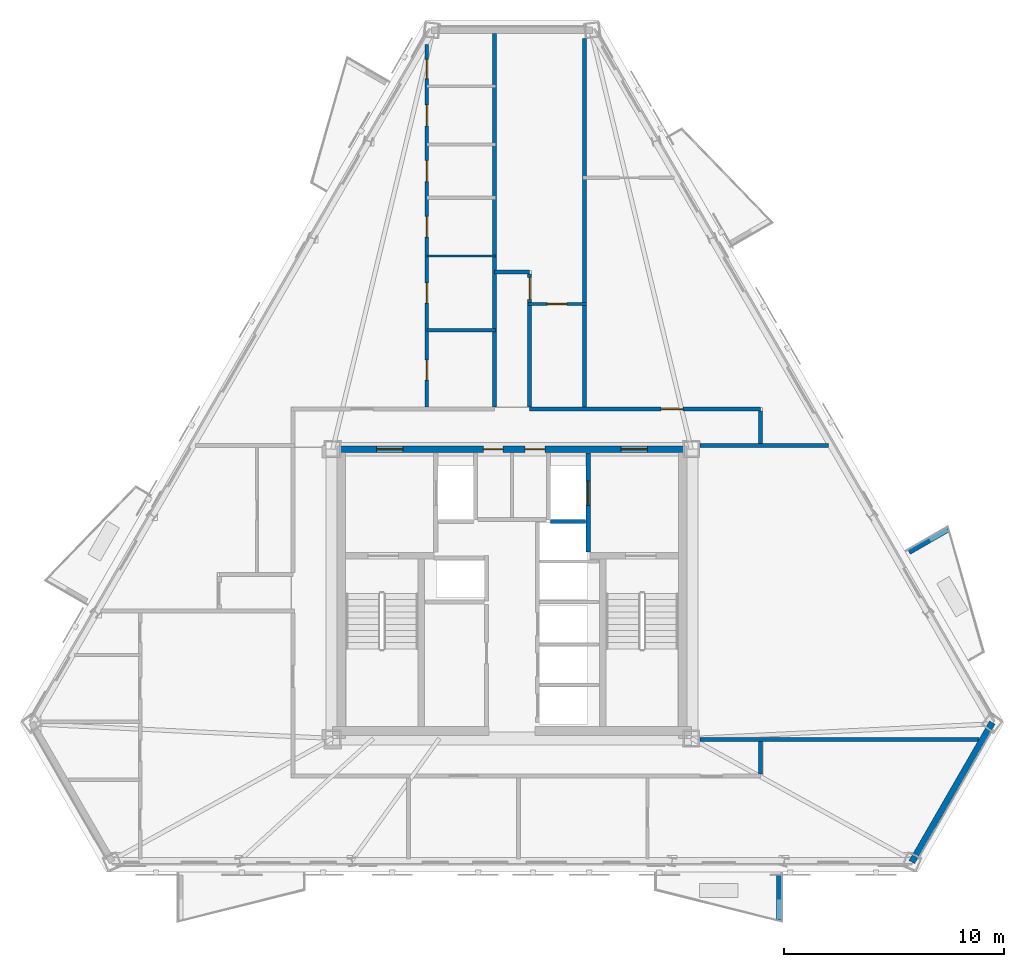
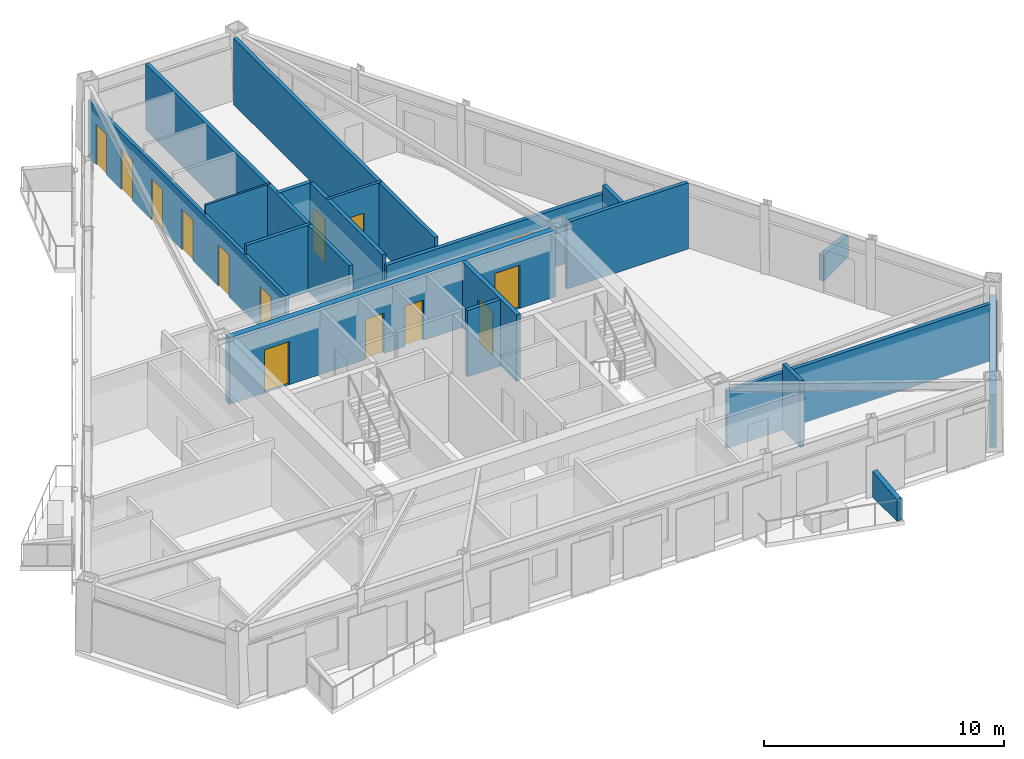
# One storey, part 4 of 9: 19 walls, 14 doors, 14 openings.
"""IFC4 building model written with IfcOpenShell, lengths in metres."""

from ifc_helpers import new_model, si_unit, direction, frame, frame_2d, origin, place, context, subcontext, project, spatial, polyline, rectangle, outline, extrude, material, layer, layer_set, type_object, element, fill, save


model = new_model("IFC4")

# Units and contexts
model_context = context("Model", 3, precision=1e-05, world=origin(), true_north=direction((0.0, 1.0)))
body_context = subcontext(model_context, "Body", "Model", "MODEL_VIEW")
ifc_project = project(units=[si_unit("LENGTHUNIT", "METRE"), si_unit("AREAUNIT", "SQUARE_METRE"), si_unit("VOLUMEUNIT", "CUBIC_METRE"), si_unit("PLANEANGLEUNIT", "RADIAN"), si_unit("MASSUNIT", "GRAM", prefix="KILO")], contexts=[model_context])

# Site, building, storey
site_placement = place(None, origin())
site = spatial("IfcSite", under=ifc_project, at=site_placement, CompositionType="ELEMENT")
building_placement = place(site_placement, origin())
building = spatial("IfcBuilding", under=site, at=building_placement, Name="Oramaril Tower", CompositionType="ELEMENT")
storey_placement = place(building_placement, frame((0.0, 0.0, 201.0)))
storey = spatial("IfcBuildingStorey", under=building, at=storey_placement, Name="L53", CompositionType="ELEMENT", Elevation=201.0)

# Walls
ifc_material_1 = material(Name="Warm Cream Limestone", Category="masonry")
ifc_layer_1 = layer(ifc_material_1, 0.2900390625)
ifc_layer_set_1 = layer_set([ifc_layer_1], Name="WT-EXT29")
wall_type_1 = type_object("IfcWallType", Name="WT-EXT29", PredefinedType="SOLIDWALL", material=ifc_layer_set_1)
wall_1_placement = place(storey_placement, frame((55.67578125, 5.380615234375, 0.0), z_axis=(0.0, 0.0, 1.0), x_axis=(0.50001024923, 0.866019486308, 0.0)))
element("IfcWall", 1, at=wall_1_placement, inside=storey, type_object=wall_type_1, Name="L53 Tower Limestone Facade Wall 3M", PredefinedType="SOLIDWALL", context=body_context, shape_type="SweptSolid", body=[
    extrude(rectangle(XDim=7.318603515625, YDim=0.2900390625, at=frame_2d((3.6591796875, 0.0))), origin(), (0.0, 0.0, 1.0), 2.677001953125),
])
ifc_material_2 = material(Name="Concrete C40/50", Category="concrete")
ifc_layer_2 = layer(ifc_material_2, 0.22998046875)
ifc_layer_set_2 = layer_set([ifc_layer_2], Name="WT-PRP23")
wall_type_2 = type_object("IfcWallType", Name="WT-PRP23", PredefinedType="PARAPET", material=ifc_layer_set_2)
for number, where, z_axis, x_axis, name in (
    (2, (49.636474609375, 4.78271484375, 0.0), (0.0, 0.0, 1.0), (0.0, -1.0, 0.0), "L53 Trapezoidal Balcony Frame Cheek L53-BAL-S2-R"),
    (3, (55.551025390625, 19.469482421875, 0.0), (0.0, 0.0, 1.0), (0.866012356593, 0.500022597718, 0.0), "L53 Trapezoidal Balcony Frame Cheek L53-BAL-NE1-R"),
):
    element("IfcWall", number, at=place(storey_placement, frame(where, z_axis=z_axis, x_axis=x_axis)), inside=storey, type_object=wall_type_2, Name=name, PredefinedType="PARAPET", context=body_context, shape_type="SweptSolid", body=[
        extrude(outline(polyline([(0.0, 0.0), (2.0419921875, 0.0), (2.0419921875, 1.10009765625), (0.0, 1.320068359375), (0.0, 0.0)])), frame((0.0, 0.114990234375, 0.0), z_axis=(0.0, -1.0, 0.0), x_axis=(1.0, 0.0, 0.0)), (0.0, 0.0, 1.0), 0.22998046875),
    ])
ifc_material_3 = material(Name="Acoustic Gypsum Board Partition")
ifc_layer_3 = layer(ifc_material_3, 0.10009765625)
ifc_layer_set_3 = layer_set([ifc_layer_3], Name="WT-PT10")
wall_type_3 = type_object("IfcWallType", Name="WT-PT10", PredefinedType="PARTITIONING", material=ifc_layer_set_3)
wall_2_placement = place(storey_placement, frame((33.6298828125, 32.929931640625, 0.0), z_axis=(0.0, 0.0, 1.0), x_axis=(1.0, 0.0, 0.0)))
element("IfcWall", 4, at=wall_2_placement, inside=storey, type_object=wall_type_3, Name="L53 Interior Partition PT-10", PredefinedType="PARTITIONING", context=body_context, shape_type="SweptSolid", body=[
    extrude(rectangle(XDim=3.1201171875, YDim=0.10009765625, at=frame_2d((1.56005859375, 0.0))), origin(), (0.0, 0.0, 1.0), 3.3798828125),
])

# Wall, opening, door
ifc_material_4 = material(Name="Acoustic Gypsum Board Partition")
ifc_layer_4 = layer(ifc_material_4, 0.139892578125)
ifc_layer_set_4 = layer_set([ifc_layer_4], Name="WT-PT14")
wall_type_4 = type_object("IfcWallType", Name="WT-PT14", PredefinedType="PARTITIONING", material=ifc_layer_set_4)
wall_3_placement = place(storey_placement, frame((38.218017578125, 30.75, 0.0), z_axis=(0.0, 0.0, 1.0), x_axis=(1.0, 0.0, 0.0)))
wall_3 = element("IfcWall", 5, at=wall_3_placement, inside=storey, type_object=wall_type_4, Name="L53 Interior Partition PT-14", PredefinedType="PARTITIONING", context=body_context, shape_type="SweptSolid", body=[
    extrude(rectangle(XDim=2.6640625, YDim=0.139892578125, at=frame_2d((1.33203125, 0.0))), origin(), (0.0, 0.0, 1.0), 3.3798828125),
])
opening_1_placement = place(wall_3_placement, frame((0.89208984375, 0.0, 0.0)))
opening_1 = element("IfcOpeningElement", 6, at=opening_1_placement, cuts=wall_3, Name="Opening D-L53-05", PredefinedType="OPENING", context=body_context, shape_type="SweptSolid", body=[
    extrude(rectangle(XDim=0.8798828125, YDim=2.080078125, at=frame_2d((0.43994140625, 1.0400390625))), frame((0.0, 0.06982421875, 0.0), z_axis=(0.0, -1.0, 0.0), x_axis=(1.0, 0.0, 0.0)), (0.0, 0.0, 1.0), 0.139892578125),
])
ifc_material_5 = material(Name="FSC Brazilian Freijo Hardwood", Category="wood")
door_type_1 = type_object("IfcDoorType", Name="DT-BATH", OperationType="NOTDEFINED", PredefinedType="DOOR", material=ifc_material_5)
door_1_placement = place(opening_1_placement, origin())
door_1 = element("IfcDoor", 7, at=door_1_placement, inside=storey, type_object=door_type_1, Name="L53 Flat L53-U6 Bathroom Door D-L53-05", OperationType="SINGLE_SWING_LEFT", OverallHeight=2.080078125, OverallWidth=0.8798828125, PredefinedType="DOOR", context=body_context, shape_type="SweptSolid", body=[
    extrude(rectangle(XDim=0.8798828125, YDim=2.080078125, at=frame_2d((0.43994140625, 1.0400390625))), frame((0.0, 0.02490234375, 0.0), z_axis=(0.0, -1.0, 0.0), x_axis=(1.0, 0.0, 0.0)), (0.0, 0.0, 1.0), 0.050048828125),
])
fill(opening_1, door_1)

# Wall
ifc_material_6 = material(Name="Acoustic Gypsum Board Partition")
ifc_layer_5 = layer(ifc_material_6, 0.159912109375)
ifc_layer_set_5 = layer_set([ifc_layer_5], Name="WT-PT16")
wall_type_5 = type_object("IfcWallType", Name="WT-PT16", PredefinedType="PARTITIONING", material=ifc_layer_set_5)
wall_4_placement = place(storey_placement, frame((33.6298828125, 29.56005859375, 0.0), z_axis=(0.0, 0.0, 1.0), x_axis=(1.0, 0.0, 0.0)))
element("IfcWall", 8, at=wall_4_placement, inside=storey, type_object=wall_type_5, Name="L53 Interior Partition PT-16", PredefinedType="PARTITIONING", context=body_context, shape_type="SweptSolid", body=[
    extrude(rectangle(XDim=3.1201171875, YDim=0.159912109375, at=frame_2d((1.56005859375, 0.0))), origin(), (0.0, 0.0, 1.0), 3.3798828125),
])

# Wall, openings, doors
wall_5_placement = place(storey_placement, frame((33.6298828125, 26.06396484375, 0.0), z_axis=(0.0, 0.0, 1.0), x_axis=(0.0, 1.0, 0.0)))
wall_5 = element("IfcWall", 9, at=wall_5_placement, inside=storey, type_object=wall_type_5, Name="L53 Interior Partition PT-16", PredefinedType="PARTITIONING", context=body_context, shape_type="SweptSolid", body=[
    extrude(rectangle(XDim=16.4736328125, YDim=0.159912109375, at=frame_2d((8.23681640625, 0.0))), origin(), (0.0, 0.0, 1.0), 2.9130859375),
])
opening_2_placement = place(wall_5_placement, frame((1.224609375, 0.0, 0.0)))
opening_2 = element("IfcOpeningElement", 10, at=opening_2_placement, cuts=wall_5, Name="Opening D-L53-14", PredefinedType="OPENING", context=body_context, shape_type="SweptSolid", body=[
    extrude(rectangle(XDim=0.919921875, YDim=2.1201171875, at=frame_2d((0.4599609375, 1.06005859375))), frame((0.0, 0.080078125, 0.0), z_axis=(0.0, -1.0, 0.0), x_axis=(1.0, 0.0, 0.0)), (0.0, 0.0, 1.0), 0.159912109375),
])
opening_3_placement = place(wall_5_placement, frame((4.72119140625, 0.0, 0.0)))
opening_3 = element("IfcOpeningElement", 11, at=opening_3_placement, cuts=wall_5, Name="Opening D-L53-15", PredefinedType="OPENING", context=body_context, shape_type="SweptSolid", body=[
    extrude(rectangle(XDim=0.919921875, YDim=2.1201171875, at=frame_2d((0.4599609375, 1.06005859375))), frame((0.0, 0.080078125, 0.0), z_axis=(0.0, -1.0, 0.0), x_axis=(1.0, 0.0, 0.0)), (0.0, 0.0, 1.0), 0.159912109375),
])
opening_4_placement = place(wall_5_placement, frame((7.720703125, 0.0, 0.0)))
opening_4 = element("IfcOpeningElement", 12, at=opening_4_placement, cuts=wall_5, Name="Opening D-L53-16", PredefinedType="OPENING", context=body_context, shape_type="SweptSolid", body=[
    extrude(rectangle(XDim=0.949951171875, YDim=2.10009765625, at=frame_2d((0.47509765625, 1.050048828125))), frame((0.0, 0.080078125, 0.0), z_axis=(0.0, -1.0, 0.0), x_axis=(1.0, 0.0, 0.0)), (0.0, 0.0, 1.0), 0.159912109375),
])
opening_5_placement = place(wall_5_placement, frame((10.252685546875, 0.0, 0.0)))
opening_5 = element("IfcOpeningElement", 13, at=opening_5_placement, cuts=wall_5, Name="Opening D-L53-17", PredefinedType="OPENING", context=body_context, shape_type="SweptSolid", body=[
    extrude(rectangle(XDim=0.949951171875, YDim=2.10009765625, at=frame_2d((0.47509765625, 1.050048828125))), frame((0.0, 0.080078125, 0.0), z_axis=(0.0, -1.0, 0.0), x_axis=(1.0, 0.0, 0.0)), (0.0, 0.0, 1.0), 0.159912109375),
])
opening_6_placement = place(wall_5_placement, frame((12.782470703125, 0.0, 0.0)))
opening_6 = element("IfcOpeningElement", 14, at=opening_6_placement, cuts=wall_5, Name="Opening D-L53-18", PredefinedType="OPENING", context=body_context, shape_type="SweptSolid", body=[
    extrude(rectangle(XDim=0.949951171875, YDim=2.10009765625, at=frame_2d((0.47509765625, 1.050048828125))), frame((0.0, 0.080078125, 0.0), z_axis=(0.0, -1.0, 0.0), x_axis=(1.0, 0.0, 0.0)), (0.0, 0.0, 1.0), 0.159912109375),
])
opening_7_placement = place(wall_5_placement, frame((14.931396484375, 0.0, 0.0)))
opening_7 = element("IfcOpeningElement", 15, at=opening_7_placement, cuts=wall_5, Name="Opening D-L53-19", PredefinedType="OPENING", context=body_context, shape_type="SweptSolid", body=[
    extrude(rectangle(XDim=0.8798828125, YDim=2.080078125, at=frame_2d((0.43994140625, 1.0400390625))), frame((0.0, 0.080078125, 0.0), z_axis=(0.0, -1.0, 0.0), x_axis=(1.0, 0.0, 0.0)), (0.0, 0.0, 1.0), 0.159912109375),
])
door_2_placement = place(opening_7_placement, origin())
door_2 = element("IfcDoor", 16, at=door_2_placement, inside=storey, type_object=door_type_1, Name="L53 Flat L53-U5 Bathroom Door D-L53-19", OperationType="SINGLE_SWING_LEFT", OverallHeight=2.080078125, OverallWidth=0.8798828125, PredefinedType="DOOR", context=body_context, shape_type="SweptSolid", body=[
    extrude(rectangle(XDim=0.8798828125, YDim=2.080078125, at=frame_2d((0.43994140625, 1.0400390625))), frame((0.0, 0.02490234375, 0.0), z_axis=(0.0, -1.0, 0.0), x_axis=(1.0, 0.0, 0.0)), (0.0, 0.0, 1.0), 0.050048828125),
])
fill(opening_7, door_2)
ifc_material_7 = material(Name="FSC Brazilian Freijo Hardwood", Category="wood")
door_type_2 = type_object("IfcDoorType", Name="DT-BED", OperationType="NOTDEFINED", PredefinedType="DOOR", material=ifc_material_7)
door_3_placement = place(opening_2_placement, origin())
door_3 = element("IfcDoor", 17, at=door_3_placement, inside=storey, type_object=door_type_2, Name="L53 Flat L53-U5 Master Bedroom Door D-L53-14", OperationType="SINGLE_SWING_RIGHT", OverallHeight=2.1201171875, OverallWidth=0.919921875, PredefinedType="DOOR", context=body_context, shape_type="SweptSolid", body=[
    extrude(rectangle(XDim=0.919921875, YDim=2.1201171875, at=frame_2d((0.4599609375, 1.06005859375))), frame((0.0, 0.02490234375, 0.0), z_axis=(0.0, -1.0, 0.0), x_axis=(1.0, 0.0, 0.0)), (0.0, 0.0, 1.0), 0.050048828125),
])
fill(opening_2, door_3)
door_4_placement = place(opening_3_placement, origin())
door_4 = element("IfcDoor", 18, at=door_4_placement, inside=storey, type_object=door_type_2, Name="L53 Flat L53-U5 Bedroom 2 Door D-L53-15", OperationType="SINGLE_SWING_LEFT", OverallHeight=2.1201171875, OverallWidth=0.919921875, PredefinedType="DOOR", context=body_context, shape_type="SweptSolid", body=[
    extrude(rectangle(XDim=0.919921875, YDim=2.1201171875, at=frame_2d((0.4599609375, 1.06005859375))), frame((0.0, 0.02490234375, 0.0), z_axis=(0.0, -1.0, 0.0), x_axis=(1.0, 0.0, 0.0)), (0.0, 0.0, 1.0), 0.050048828125),
])
fill(opening_3, door_4)
ifc_material_8 = material(Name="FSC Brazilian Freijo Hardwood", Category="wood")
door_type_3 = type_object("IfcDoorType", Name="DT-STDY", OperationType="NOTDEFINED", PredefinedType="DOOR", material=ifc_material_8)
door_5_placement = place(opening_4_placement, origin())
door_5 = element("IfcDoor", 19, at=door_5_placement, inside=storey, type_object=door_type_3, Name="L53 Flat L53-U5 Home Office Door D-L53-16", OperationType="SINGLE_SWING_RIGHT", OverallHeight=2.10009765625, OverallWidth=0.949951171875, PredefinedType="DOOR", context=body_context, shape_type="SweptSolid", body=[
    extrude(rectangle(XDim=0.949951171875, YDim=2.10009765625, at=frame_2d((0.47509765625, 1.050048828125))), frame((0.0, 0.02490234375, 0.0), z_axis=(0.0, -1.0, 0.0), x_axis=(1.0, 0.0, 0.0)), (0.0, 0.0, 1.0), 0.050048828125),
])
fill(opening_4, door_5)
door_6_placement = place(opening_5_placement, origin())
door_6 = element("IfcDoor", 20, at=door_6_placement, inside=storey, type_object=door_type_3, Name="L53 Flat L53-U5 Private Dining Room Door D-L53-17", OperationType="SINGLE_SWING_LEFT", OverallHeight=2.10009765625, OverallWidth=0.949951171875, PredefinedType="DOOR", context=body_context, shape_type="SweptSolid", body=[
    extrude(rectangle(XDim=0.949951171875, YDim=2.10009765625, at=frame_2d((0.47509765625, 1.050048828125))), frame((0.0, 0.02490234375, 0.0), z_axis=(0.0, -1.0, 0.0), x_axis=(1.0, 0.0, 0.0)), (0.0, 0.0, 1.0), 0.050048828125),
])
fill(opening_5, door_6)
door_7_placement = place(opening_6_placement, origin())
door_7 = element("IfcDoor", 21, at=door_7_placement, inside=storey, type_object=door_type_3, Name="L53 Flat L53-U5 Kitchen Door D-L53-18", OperationType="SINGLE_SWING_RIGHT", OverallHeight=2.10009765625, OverallWidth=0.949951171875, PredefinedType="DOOR", context=body_context, shape_type="SweptSolid", body=[
    extrude(rectangle(XDim=0.949951171875, YDim=2.10009765625, at=frame_2d((0.47509765625, 1.050048828125))), frame((0.0, 0.02490234375, 0.0), z_axis=(0.0, -1.0, 0.0), x_axis=(1.0, 0.0, 0.0)), (0.0, 0.0, 1.0), 0.050048828125),
])
fill(opening_6, door_7)

# Walls
ifc_material_9 = material(Name="Autoclaved Cellular Concrete Block", Category="concrete")
ifc_layer_6 = layer(ifc_material_9, 0.179931640625)
ifc_layer_set_6 = layer_set([ifc_layer_6], Name="WT-PT18")
wall_type_6 = type_object("IfcWallType", Name="WT-PT18", PredefinedType="PARTITIONING", material=ifc_layer_set_6)
wall_6_placement = place(storey_placement, frame((39.260009765625, 20.860107421875, 0.0), z_axis=(0.0, 0.0, 1.0), x_axis=(1.0, 0.0, 0.0)))
element("IfcWall", 22, at=wall_6_placement, inside=storey, type_object=wall_type_6, Name="L53 FL-2 South Shaft Wall", PredefinedType="PARTITIONING", context=body_context, shape_type="SweptSolid", body=[
    extrude(rectangle(XDim=1.580078125, YDim=0.179931640625, at=frame_2d((0.7900390625, 0.0))), origin(), (0.0, 0.0, 1.0), 3.3798828125),
])
wall_7_placement = place(storey_placement, frame((46.0400390625, 10.949951171875, 0.0), z_axis=(0.0, 0.0, 1.0), x_axis=(1.0, 0.0, 0.0)))
element("IfcWall", 23, at=wall_7_placement, inside=storey, type_object=wall_type_6, Name="L53 Interior Partition PT-18", PredefinedType="PARTITIONING", context=body_context, shape_type="SweptSolid", body=[
    extrude(rectangle(XDim=12.679443359375, YDim=0.179931640625, at=frame_2d((6.33984375, 0.0))), origin(), (0.0, 0.0, 1.0), 2.9130859375),
])
wall_8_placement = place(storey_placement, frame((46.0400390625, 24.320068359375, 0.0), z_axis=(0.0, 0.0, 1.0), x_axis=(1.0, 0.0, 0.0)))
element("IfcWall", 24, at=wall_8_placement, inside=storey, type_object=wall_type_6, Name="L53 Interior Partition PT-18", PredefinedType="PARTITIONING", context=body_context, shape_type="SweptSolid", body=[
    extrude(rectangle(XDim=5.847900390625, YDim=0.179931640625, at=frame_2d((2.923828125, 0.0))), origin(), (0.0, 0.0, 1.0), 3.3798828125),
])

# Wall, opening, door
wall_9_placement = place(storey_placement, frame((38.300048828125, 25.969970703125, 0.0), z_axis=(0.0, 0.0, 1.0), x_axis=(1.0, 0.0, 0.0)))
wall_9 = element("IfcWall", 25, at=wall_9_placement, inside=storey, type_object=wall_type_6, Name="L53 Interior Partition PT-18", PredefinedType="PARTITIONING", context=body_context, shape_type="SweptSolid", body=[
    extrude(rectangle(XDim=10.5, YDim=0.179931640625, at=frame_2d((5.25, 0.0))), origin(), (0.0, 0.0, 1.0), 2.9130859375),
])
opening_8_placement = place(wall_9_placement, frame((5.97900390625, 0.0, 0.0)))
opening_8 = element("IfcOpeningElement", 26, at=opening_8_placement, cuts=wall_9, Name="Opening D-L53-04", PredefinedType="OPENING", context=body_context, shape_type="SweptSolid", body=[
    extrude(rectangle(XDim=1.0, YDim=2.179931640625, at=frame_2d((0.5, 1.08984375))), frame((0.0, 0.08984375, 0.0), z_axis=(0.0, -1.0, 0.0), x_axis=(1.0, 0.0, 0.0)), (0.0, 0.0, 1.0), 0.179931640625),
])
ifc_material_10 = material(Name="FSC Brazilian Freijo Hardwood", Category="wood")
door_type_4 = type_object("IfcDoorType", Name="DT-APT", OperationType="NOTDEFINED", PredefinedType="DOOR", material=ifc_material_10)
door_8_placement = place(opening_8_placement, origin())
door_8 = element("IfcDoor", 27, at=door_8_placement, inside=storey, type_object=door_type_4, Name="L53 Flat L53-U7 Kitchen and Studio Apartment Door D-L53-04", OperationType="SINGLE_SWING_RIGHT", OverallHeight=2.179931640625, OverallWidth=1.0, PredefinedType="DOOR", context=body_context, shape_type="SweptSolid", body=[
    extrude(rectangle(XDim=1.0, YDim=2.179931640625, at=frame_2d((0.5, 1.08984375))), frame((0.0, 0.02490234375, 0.0), z_axis=(0.0, -1.0, 0.0), x_axis=(1.0, 0.0, 0.0)), (0.0, 0.0, 1.0), 0.050048828125),
])
fill(opening_8, door_8)

# Walls
wall_10_placement = place(storey_placement, frame((36.699951171875, 32.199951171875, 0.0), z_axis=(0.0, 0.0, 1.0), x_axis=(1.0, 0.0, 0.0)))
element("IfcWall", 28, at=wall_10_placement, inside=storey, type_object=wall_type_6, Name="L53 Interior Partition PT-18", PredefinedType="PARTITIONING", context=body_context, shape_type="SweptSolid", body=[
    extrude(rectangle(XDim=1.60009765625, YDim=0.179931640625, at=frame_2d((0.800048828125, 0.0))), origin(), (0.0, 0.0, 1.0), 3.3798828125),
])
wall_11_placement = place(storey_placement, frame((36.699951171875, 26.06396484375, 0.0), z_axis=(0.0, 0.0, 1.0), x_axis=(0.0, 1.0, 0.0)))
element("IfcWall", 29, at=wall_11_placement, inside=storey, type_object=wall_type_6, Name="L53 Interior Partition PT-18", PredefinedType="PARTITIONING", context=body_context, shape_type="SweptSolid", body=[
    extrude(rectangle(XDim=16.987548828125, YDim=0.179931640625, at=frame_2d((8.49365234375, 0.0))), origin(), (0.0, 0.0, 1.0), 3.3798828125),
])

# Wall, opening, door
wall_12_placement = place(storey_placement, frame((38.300048828125, 26.06396484375, 0.0), z_axis=(0.0, 0.0, 1.0), x_axis=(0.0, 1.0, 0.0)))
wall_12 = element("IfcWall", 30, at=wall_12_placement, inside=storey, type_object=wall_type_6, Name="L53 Interior Partition PT-18", PredefinedType="PARTITIONING", context=body_context, shape_type="SweptSolid", body=[
    extrude(rectangle(XDim=6.0419921875, YDim=0.179931640625, at=frame_2d((3.02099609375, 0.0))), origin(), (0.0, 0.0, 1.0), 3.3798828125),
])
opening_9_placement = place(wall_12_placement, frame((4.891357421875, 0.0, 0.0)))
opening_9 = element("IfcOpeningElement", 31, at=opening_9_placement, cuts=wall_12, Name="Opening D-L53-20", PredefinedType="OPENING", context=body_context, shape_type="SweptSolid", body=[
    extrude(rectangle(XDim=1.0, YDim=2.179931640625, at=frame_2d((0.5, 1.08984375))), frame((0.0, 0.08984375, 0.0), z_axis=(0.0, -1.0, 0.0), x_axis=(1.0, 0.0, 0.0)), (0.0, 0.0, 1.0), 0.179931640625),
])
door_9_placement = place(opening_9_placement, origin())
door_9 = element("IfcDoor", 32, at=door_9_placement, inside=storey, type_object=door_type_4, Name="L53 Flat L53-U6 Kitchen and Studio Apartment Door D-L53-20", OperationType="SINGLE_SWING_RIGHT", OverallHeight=2.179931640625, OverallWidth=1.0, PredefinedType="DOOR", context=body_context, shape_type="SweptSolid", body=[
    extrude(rectangle(XDim=1.0, YDim=2.179931640625, at=frame_2d((0.5, 1.08984375))), frame((0.0, 0.02490234375, 0.0), z_axis=(0.0, -1.0, 0.0), x_axis=(1.0, 0.0, 0.0)), (0.0, 0.0, 1.0), 0.050048828125),
])
fill(opening_9, door_9)

# Walls
wall_13_placement = place(storey_placement, frame((40.800048828125, 26.06396484375, 0.0), z_axis=(0.0, 0.0, 1.0), x_axis=(0.0, 1.0, 0.0)))
element("IfcWall", 33, at=wall_13_placement, inside=storey, type_object=wall_type_6, Name="L53 Interior Partition PT-18", PredefinedType="PARTITIONING", context=body_context, shape_type="SweptSolid", body=[
    extrude(rectangle(XDim=16.766845703125, YDim=0.179931640625, at=frame_2d((8.38330078125, 0.0))), origin(), (0.0, 0.0, 1.0), 3.3798828125),
])
for number, where, z_axis, x_axis, name in (
    (34, (48.800048828125, 9.39404296875, 0.0), (0.0, 0.0, 1.0), (0.0, 1.0, 0.0), "L53 Interior Partition PT-18"),
    (35, (48.800048828125, 24.4140625, 0.0), (0.0, 0.0, 1.0), (0.0, 1.0, 0.0), "L53 Interior Partition PT-18"),
):
    element("IfcWall", number, at=place(storey_placement, frame(where, z_axis=z_axis, x_axis=x_axis)), inside=storey, type_object=wall_type_6, Name=name, PredefinedType="PARTITIONING", context=body_context, shape_type="SweptSolid", body=[
        extrude(rectangle(XDim=1.4619140625, YDim=0.179931640625, at=frame_2d((0.73095703125, 0.0))), origin(), (0.0, 0.0, 1.0), 3.3798828125),
    ])

# Wall, openings, doors
ifc_material_11 = material(Name="Concrete C50/60", Category="concrete")
ifc_layer_7 = layer(ifc_material_11, 0.300048828125)
ifc_layer_set_7 = layer_set([ifc_layer_7], Name="WT-SH30")
wall_type_7 = type_object("IfcWallType", Name="WT-SH30", PredefinedType="SHEAR", material=ifc_layer_set_7)
wall_14_placement = place(storey_placement, frame((29.64990234375, 24.14990234375, 0.0), z_axis=(0.0, 0.0, 1.0), x_axis=(1.0, 0.0, 0.0)))
wall_14 = element("IfcWall", 36, at=wall_14_placement, inside=storey, type_object=wall_type_7, Name="L53 Core Shear Wall CW-N", PredefinedType="SHEAR", context=body_context, shape_type="SweptSolid", body=[
    extrude(rectangle(XDim=15.7001953125, YDim=0.300048828125, at=frame_2d((7.85009765625, 0.0))), origin(), (0.0, 0.0, 1.0), 3.3798828125),
])
opening_10_placement = place(wall_14_placement, frame((1.699951171875, 0.0, 0.0)))
opening_10 = element("IfcOpeningElement", 37, at=opening_10_placement, cuts=wall_14, Name="Opening D-L53-FFL1", PredefinedType="OPENING", context=body_context, shape_type="SweptSolid", body=[
    extrude(rectangle(XDim=1.199951171875, YDim=2.199951171875, at=frame_2d((0.60009765625, 1.10009765625))), frame((0.0, 0.14990234375, 0.0), z_axis=(0.0, -1.0, 0.0), x_axis=(1.0, 0.0, 0.0)), (0.0, 0.0, 1.0), 0.300048828125),
])
opening_11_placement = place(wall_14_placement, frame((12.800048828125, 0.0, 0.0)))
opening_11 = element("IfcOpeningElement", 38, at=opening_11_placement, cuts=wall_14, Name="Opening D-L53-FFL2", PredefinedType="OPENING", context=body_context, shape_type="SweptSolid", body=[
    extrude(rectangle(XDim=1.199951171875, YDim=2.199951171875, at=frame_2d((0.60009765625, 1.10009765625))), frame((0.0, 0.14990234375, 0.0), z_axis=(0.0, -1.0, 0.0), x_axis=(1.0, 0.0, 0.0)), (0.0, 0.0, 1.0), 0.300048828125),
])
opening_12_placement = place(wall_14_placement, frame((6.550048828125, 0.0, 0.0)))
opening_12 = element("IfcOpeningElement", 39, at=opening_12_placement, cuts=wall_14, Name="Opening D-L53-SV1", PredefinedType="OPENING", context=body_context, shape_type="SweptSolid", body=[
    extrude(rectangle(XDim=0.89990234375, YDim=2.050048828125, at=frame_2d((0.449951171875, 1.02490234375))), frame((0.0, 0.14990234375, 0.0), z_axis=(0.0, -1.0, 0.0), x_axis=(1.0, 0.0, 0.0)), (0.0, 0.0, 1.0), 0.300048828125),
])
opening_13_placement = place(wall_14_placement, frame((8.449951171875, 0.0, 0.0)))
opening_13 = element("IfcOpeningElement", 40, at=opening_13_placement, cuts=wall_14, Name="Opening D-L53-SV2", PredefinedType="OPENING", context=body_context, shape_type="SweptSolid", body=[
    extrude(rectangle(XDim=0.89990234375, YDim=2.050048828125, at=frame_2d((0.449951171875, 1.02490234375))), frame((0.0, 0.14990234375, 0.0), z_axis=(0.0, -1.0, 0.0), x_axis=(1.0, 0.0, 0.0)), (0.0, 0.0, 1.0), 0.300048828125),
])
ifc_material_12 = material(Name="Painted Galvanised Steel", Category="steel")
door_type_5 = type_object("IfcDoorType", Name="DT-FFL", OperationType="NOTDEFINED", PredefinedType="DOOR", material=ifc_material_12)
door_10_placement = place(opening_10_placement, origin())
door_10 = element("IfcDoor", 41, at=door_10_placement, inside=storey, type_object=door_type_5, Name="L53 Firefighting Lobby 1 Fire Door", OperationType="SINGLE_SWING_LEFT", OverallHeight=2.199951171875, OverallWidth=1.199951171875, PredefinedType="DOOR", context=body_context, shape_type="SweptSolid", body=[
    extrude(rectangle(XDim=1.199951171875, YDim=2.199951171875, at=frame_2d((0.60009765625, 1.10009765625))), frame((0.0, 0.02490234375, 0.0), z_axis=(0.0, -1.0, 0.0), x_axis=(1.0, 0.0, 0.0)), (0.0, 0.0, 1.0), 0.050048828125),
])
fill(opening_10, door_10)
door_11_placement = place(opening_11_placement, origin())
door_11 = element("IfcDoor", 42, at=door_11_placement, inside=storey, type_object=door_type_5, Name="L53 Firefighting Lobby 2 Fire Door", OperationType="SINGLE_SWING_RIGHT", OverallHeight=2.199951171875, OverallWidth=1.199951171875, PredefinedType="DOOR", context=body_context, shape_type="SweptSolid", body=[
    extrude(rectangle(XDim=1.199951171875, YDim=2.199951171875, at=frame_2d((0.60009765625, 1.10009765625))), frame((0.0, 0.02490234375, 0.0), z_axis=(0.0, -1.0, 0.0), x_axis=(1.0, 0.0, 0.0)), (0.0, 0.0, 1.0), 0.050048828125),
])
fill(opening_11, door_11)
ifc_material_13 = material(Name="Painted Galvanised Steel", Category="steel")
door_type_6 = type_object("IfcDoorType", Name="DT-SVC", OperationType="NOTDEFINED", PredefinedType="DOOR", material=ifc_material_13)
door_12_placement = place(opening_12_placement, origin())
door_12 = element("IfcDoor", 43, at=door_12_placement, inside=storey, type_object=door_type_6, Name="L53 Core Service Store 1 Door", OperationType="SINGLE_SWING_LEFT", OverallHeight=2.050048828125, OverallWidth=0.89990234375, PredefinedType="DOOR", context=body_context, shape_type="SweptSolid", body=[
    extrude(rectangle(XDim=0.89990234375, YDim=2.050048828125, at=frame_2d((0.449951171875, 1.02490234375))), frame((0.0, 0.02490234375, 0.0), z_axis=(0.0, -1.0, 0.0), x_axis=(1.0, 0.0, 0.0)), (0.0, 0.0, 1.0), 0.050048828125),
])
fill(opening_12, door_12)
door_13_placement = place(opening_13_placement, origin())
door_13 = element("IfcDoor", 44, at=door_13_placement, inside=storey, type_object=door_type_6, Name="L53 Core Service Store 2 Door", OperationType="SINGLE_SWING_RIGHT", OverallHeight=2.050048828125, OverallWidth=0.89990234375, PredefinedType="DOOR", context=body_context, shape_type="SweptSolid", body=[
    extrude(rectangle(XDim=0.89990234375, YDim=2.050048828125, at=frame_2d((0.449951171875, 1.02490234375))), frame((0.0, 0.02490234375, 0.0), z_axis=(0.0, -1.0, 0.0), x_axis=(1.0, 0.0, 0.0)), (0.0, 0.0, 1.0), 0.050048828125),
])
fill(opening_13, door_13)

# Wall, opening, door
ifc_material_14 = material(Name="Autoclaved Cellular Concrete Block", Category="concrete")
ifc_layer_8 = layer(ifc_material_14, 0.199951171875)
ifc_layer_set_8 = layer_set([ifc_layer_8], Name="WT-SHF20")
wall_type_8 = type_object("IfcWallType", Name="WT-SHF20", PredefinedType="PARTITIONING", material=ifc_layer_set_8)
wall_15_placement = place(storey_placement, frame((40.9599609375, 19.47998046875, 0.0), z_axis=(0.0, 0.0, 1.0), x_axis=(0.0, 1.0, 0.0)))
wall_15 = element("IfcWall", 45, at=wall_15_placement, inside=storey, type_object=wall_type_8, Name="L53 FL-2 Lobby Shaft Wall", PredefinedType="PARTITIONING", context=body_context, shape_type="SweptSolid", body=[
    extrude(rectangle(XDim=4.5, YDim=0.199951171875, at=frame_2d((2.25, 0.0))), origin(), (0.0, 0.0, 1.0), 3.3798828125),
])
opening_14_placement = place(wall_15_placement, frame((2.1201171875, 0.0, 0.0)))
opening_14 = element("IfcOpeningElement", 46, at=opening_14_placement, cuts=wall_15, Name="Opening LD-L53-FL-2", PredefinedType="OPENING", context=body_context, shape_type="SweptSolid", body=[
    extrude(rectangle(XDim=1.10009765625, YDim=2.199951171875, at=frame_2d((0.550048828125, 1.10009765625))), frame((0.0, 0.10009765625, 0.0), z_axis=(0.0, -1.0, 0.0), x_axis=(1.0, 0.0, 0.0)), (0.0, 0.0, 1.0), 0.199951171875),
])
ifc_material_15 = material(Name="Stainless Steel 316L", Category="steel")
door_type_7 = type_object("IfcDoorType", Name="DT-LD1", OperationType="NOTDEFINED", PredefinedType="DOOR", material=ifc_material_15)
door_14_placement = place(opening_14_placement, origin())
door_14 = element("IfcDoor", 47, at=door_14_placement, inside=storey, type_object=door_type_7, Name="L53 Lift FL-2 Sliding Landing Door", OperationType="SLIDING_TO_RIGHT", OverallHeight=2.199951171875, OverallWidth=1.10009765625, PredefinedType="DOOR", context=body_context, shape_type="SweptSolid", body=[
    extrude(rectangle(XDim=1.10009765625, YDim=2.199951171875, at=frame_2d((0.550048828125, 1.10009765625))), frame((0.0, 0.02490234375, 0.0), z_axis=(0.0, -1.0, 0.0), x_axis=(1.0, 0.0, 0.0)), (0.0, 0.0, 1.0), 0.050048828125),
])
fill(opening_14, door_14)

save(model, "model.ifc")
